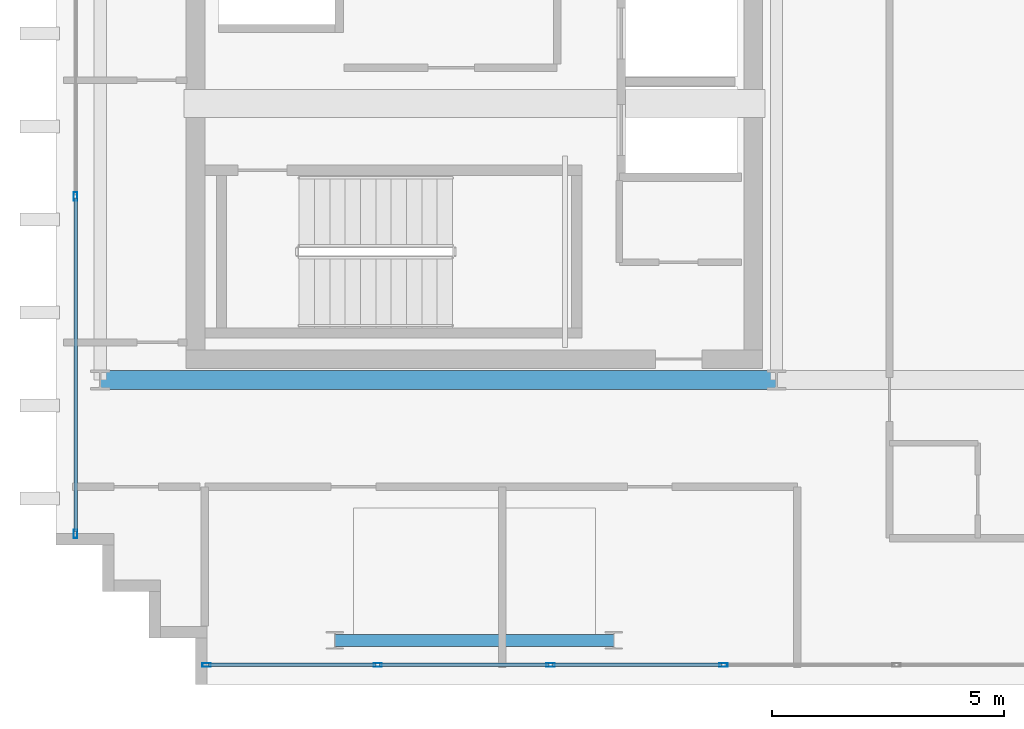
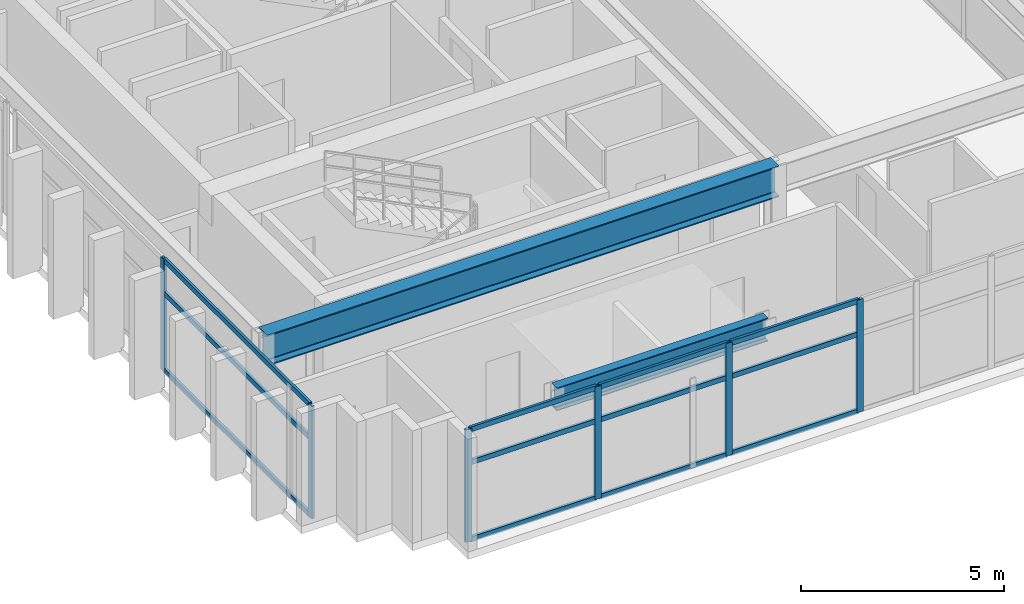
# One storey, part 2 of 15: 18 members, 2 beams, 2 elements without a shape of their own.
"""IFC4 building model written with IfcOpenShell, lengths in metres."""

from ifc_helpers import new_model, si_unit, direction, frame, origin, origin_2d, place, context, subcontext, project, spatial, hollow_rectangle, i_section, extrude, source, transform, mapped, material, layer, layer_set, material_profile, profile_set, type_object, element, aggregate, save


model = new_model("IFC4")

# Units and contexts
model_context = context("Model", 3, precision=1e-05, world=origin(), true_north=direction((0.0, 1.0)))
body_context = subcontext(model_context, "Body", "Model", "MODEL_VIEW")
ifc_project = project(units=[si_unit("LENGTHUNIT", "METRE"), si_unit("AREAUNIT", "SQUARE_METRE"), si_unit("VOLUMEUNIT", "CUBIC_METRE"), si_unit("PLANEANGLEUNIT", "RADIAN"), si_unit("MASSUNIT", "GRAM", prefix="KILO")], contexts=[model_context])

# Site, building, storey
site_placement = place(None, origin())
site = spatial("IfcSite", under=ifc_project, at=site_placement, CompositionType="ELEMENT")
building_placement = place(site_placement, origin())
building = spatial("IfcBuilding", under=site, at=building_placement, Name="Ocotamira Hotel", CompositionType="ELEMENT")
storey_placement = place(building_placement, frame((0.0, 0.0, 294.0)))
storey = spatial("IfcBuildingStorey", under=building, at=storey_placement, Name="L75", CompositionType="ELEMENT", Elevation=294.0)

# Beams
ifc_material_1 = material(Name="Steel ASTM A992 Grade 50", Category="steel")
ifc_material_profile_1 = material_profile(ifc_material_1, i_section(OverallWidth=0.41796875, OverallDepth=0.927001953125, WebThickness=0.019287109375, FlangeThickness=0.031982421875, FilletRadius=0.02392578125, at=origin_2d()), Name="W36X231")
ifc_profile_set_1 = profile_set([ifc_material_profile_1], Name="Steel ASTM A992 Grade 50")
beam_type_1 = type_object("IfcBeamType", Name="BM-GIRD-W36X231", PredefinedType="BEAM", material=ifc_profile_set_1)
shared_shape_1 = source(origin(), body_context, "Body", "SweptSolid", [
    extrude(i_section(OverallWidth=0.41796875, OverallDepth=0.927001953125, WebThickness=0.019287109375, FlangeThickness=0.031982421875, FilletRadius=0.02392578125, at=origin_2d()), origin(), (0.0, 0.0, 1.0), 14.550048828125),
])
beam_1_placement = place(storey_placement, frame((8.949951171875, 14.550048828125, 2.91650390625), z_axis=(1.0, 0.0, 0.0), x_axis=(0.0, 1.0, 0.0)))
element("IfcBeam", 1, at=beam_1_placement, inside=storey, type_object=beam_type_1, Name="L75 Girder Y14.55 X8.95-23.5", PredefinedType="BEAM", context=body_context, shape_type="MappedRepresentation", body=[
    mapped(shared_shape_1, transform((0.0, 0.0, 0.0), scale=1.0)),
])
ifc_material_profile_2 = material_profile(ifc_material_1, i_section(OverallWidth=0.256103515625, OverallDepth=0.693115234375, WebThickness=0.014404296875, FlangeThickness=0.023681640625, FilletRadius=0.01611328125, at=origin_2d()), Name="W27X114")
ifc_profile_set_2 = profile_set([ifc_material_profile_2], Name="Steel ASTM A992 Grade 50")
beam_type_2 = type_object("IfcBeamType", Name="BM-PRIM-W27X114", PredefinedType="BEAM", material=ifc_profile_set_2)
shared_shape_2 = source(origin(), body_context, "Body", "SweptSolid", [
    extrude(i_section(OverallWidth=0.256103515625, OverallDepth=0.693115234375, WebThickness=0.014404296875, FlangeThickness=0.023681640625, FilletRadius=0.01611328125, at=origin_2d()), origin(), (0.0, 0.0, 1.0), 6.0),
])
beam_2_placement = place(storey_placement, frame((14.0, 8.949951171875, 3.033447265625), z_axis=(1.0, 0.0, 0.0), x_axis=(0.0, 1.0, 0.0)))
element("IfcBeam", 2, at=beam_2_placement, inside=storey, type_object=beam_type_2, Name="L75 Girder Y8.95 X14-20", PredefinedType="BEAM", context=body_context, shape_type="MappedRepresentation", body=[
    mapped(shared_shape_2, transform((0.0, 0.0, 0.0), scale=1.0)),
])

# Curtain wall, members
ifc_material_2 = material(Name="Anodised pale-metal aluminium and solar glass", Category="aluminium")
ifc_layer = layer(ifc_material_2, 0.2099609375)
ifc_layer_set = layer_set([ifc_layer], Name="Anodised pale-metal aluminium and solar glass")
curtain_wall_type = type_object("IfcCurtainWallType", Name="CW-SYS7-PEAK", PredefinedType="NOTDEFINED", material=ifc_layer_set)
curtain_wall_1_placement = place(storey_placement, origin())
curtain_wall_1 = element("IfcCurtainWall", 3, at=curtain_wall_1_placement, inside=storey, type_object=curtain_wall_type, Name="L75 Curtain Wall CW-7 CW-L75-S1", PredefinedType="NOTDEFINED")
ifc_material_3 = material(Name="Anodised pale-metal aluminium 6063-T6", Category="aluminium")
ifc_material_profile_3 = material_profile(ifc_material_3, hollow_rectangle(XDim=0.080078125, YDim=0.179931640625, WallThickness=0.006103515625, at=origin_2d()), Name="HSS180X80X6")
ifc_profile_set_3 = profile_set([ifc_material_profile_3], Name="Anodised pale-metal aluminium 6063-T6")
member_type_1 = type_object("IfcMemberType", Name="CWM-180X75", PredefinedType="MULLION", material=ifc_profile_set_3)
shared_shape_3 = source(origin(), body_context, "Body", "SweptSolid", [
    extrude(hollow_rectangle(XDim=0.080078125, YDim=0.179931640625, WallThickness=0.006103515625, at=origin_2d()), origin(), (0.0, 0.0, 1.0), 3.3798828125),
])
member_1_placement = place(storey_placement, frame((11.239990234375, 8.419921875, 0.0), z_axis=(0.0, 0.0, 1.0), x_axis=(0.0, 1.0, 0.0)))
member_1 = element("IfcMember", 4, at=member_1_placement, type_object=member_type_1, Name="CW-7 mullion 1", PredefinedType="MULLION", context=body_context, shape_type="MappedRepresentation", body=[
    mapped(shared_shape_3, transform((0.0, 0.0, 0.0), scale=1.0)),
])
member_2_placement = place(storey_placement, frame((14.919921875, 8.419921875, 0.0), z_axis=(0.0, 0.0, 1.0), x_axis=(0.0, 1.0, 0.0)))
member_2 = element("IfcMember", 5, at=member_2_placement, type_object=member_type_1, Name="CW-7 mullion 2", PredefinedType="MULLION", context=body_context, shape_type="MappedRepresentation", body=[
    mapped(shared_shape_3, transform((0.0, 0.0, 0.0), scale=1.0)),
])
member_3_placement = place(storey_placement, frame((18.639892578125, 8.419921875, 0.0), z_axis=(0.0, 0.0, 1.0), x_axis=(0.0, 1.0, 0.0)))
member_3 = element("IfcMember", 6, at=member_3_placement, type_object=member_type_1, Name="CW-7 mullion 3", PredefinedType="MULLION", context=body_context, shape_type="MappedRepresentation", body=[
    mapped(shared_shape_3, transform((0.0, 0.0, 0.0), scale=1.0)),
])
member_4_placement = place(storey_placement, frame((22.360107421875, 8.419921875, 0.0), z_axis=(0.0, 0.0, 1.0), x_axis=(0.0, 1.0, 0.0)))
member_4 = element("IfcMember", 7, at=member_4_placement, type_object=member_type_1, Name="CW-7 mullion 4", PredefinedType="MULLION", context=body_context, shape_type="MappedRepresentation", body=[
    mapped(shared_shape_3, transform((0.0, 0.0, 0.0), scale=1.0)),
])

curtain_wall_2_placement = place(storey_placement, origin())
curtain_wall_2 = element("IfcCurtainWall", 8, at=curtain_wall_2_placement, inside=storey, type_object=curtain_wall_type, Name="L75 Curtain Wall CW-7 CW-L75-W1", PredefinedType="NOTDEFINED")
member_5_placement = place(storey_placement, frame((8.419921875, 11.239990234375, 0.0), z_axis=(0.0, 0.0, 1.0), x_axis=(-1.0, 0.0, 0.0)))
member_5 = element("IfcMember", 9, at=member_5_placement, type_object=member_type_1, Name="CW-7 mullion 1", PredefinedType="MULLION", context=body_context, shape_type="MappedRepresentation", body=[
    mapped(shared_shape_3, transform((0.0, 0.0, 0.0), scale=1.0)),
])
member_6_placement = place(storey_placement, frame((8.419921875, 18.5, 0.0), z_axis=(0.0, 0.0, 1.0), x_axis=(-1.0, 0.0, 0.0)))
member_6 = element("IfcMember", 10, at=member_6_placement, type_object=member_type_1, Name="CW-7 mullion 2", PredefinedType="MULLION", context=body_context, shape_type="MappedRepresentation", body=[
    mapped(shared_shape_3, transform((0.0, 0.0, 0.0), scale=1.0)),
])
ifc_material_profile_4 = material_profile(ifc_material_3, hollow_rectangle(XDim=0.074951171875, YDim=0.14990234375, WallThickness=0.006103515625, at=origin_2d()), Name="HSS150X75X6")
ifc_profile_set_4 = profile_set([ifc_material_profile_4], Name="Anodised pale-metal aluminium 6063-T6")
member_type_2 = type_object("IfcMemberType", Name="CWT-150X75", PredefinedType="USERDEFINED", material=ifc_profile_set_4)
shared_shape_4 = source(origin(), body_context, "Body", "SweptSolid", [
    extrude(hollow_rectangle(XDim=0.074951171875, YDim=0.14990234375, WallThickness=0.006103515625, at=origin_2d()), origin(), (0.0, 0.0, 1.0), 7.179931640625),
])
member_7_placement = place(storey_placement, frame((8.419921875, 11.280029296875, 0.03759765625), z_axis=(0.0, 1.0, 0.0), x_axis=(-1.0, 0.0, 0.0)))
member_7 = element("IfcMember", 11, at=member_7_placement, type_object=member_type_2, Name="CW-7 transom 1.1", ObjectType="TRANSOM", PredefinedType="USERDEFINED", context=body_context, shape_type="MappedRepresentation", body=[
    mapped(shared_shape_4, transform((0.0, 0.0, 0.0), scale=1.0)),
])
member_8_placement = place(storey_placement, frame((8.419921875, 11.280029296875, 2.35009765625), z_axis=(0.0, 1.0, 0.0), x_axis=(-1.0, 0.0, 0.0)))
member_8 = element("IfcMember", 12, at=member_8_placement, type_object=member_type_2, Name="CW-7 transom 1.2", ObjectType="TRANSOM", PredefinedType="USERDEFINED", context=body_context, shape_type="MappedRepresentation", body=[
    mapped(shared_shape_4, transform((0.0, 0.0, 0.0), scale=1.0)),
])
member_9_placement = place(storey_placement, frame((8.419921875, 11.280029296875, 3.342529296875), z_axis=(0.0, 1.0, 0.0), x_axis=(-1.0, 0.0, 0.0)))
member_9 = element("IfcMember", 13, at=member_9_placement, type_object=member_type_2, Name="CW-7 transom 1.3", ObjectType="TRANSOM", PredefinedType="USERDEFINED", context=body_context, shape_type="MappedRepresentation", body=[
    mapped(shared_shape_4, transform((0.0, 0.0, 0.0), scale=1.0)),
])
aggregate(curtain_wall_2, [member_5, member_6, member_7, member_8, member_9])

# Member
shared_shape_5 = source(origin(), body_context, "Body", "SweptSolid", [
    extrude(hollow_rectangle(XDim=0.074951171875, YDim=0.14990234375, WallThickness=0.006103515625, at=origin_2d()), origin(), (0.0, 0.0, 1.0), 3.599853515625),
])
member_10_placement = place(storey_placement, frame((11.280029296875, 8.419921875, 0.03759765625), z_axis=(1.0, 0.0, 0.0), x_axis=(0.0, 1.0, 0.0)))
member_10 = element("IfcMember", 14, at=member_10_placement, type_object=member_type_2, Name="CW-7 transom 1.1", ObjectType="TRANSOM", PredefinedType="USERDEFINED", context=body_context, shape_type="MappedRepresentation", body=[
    mapped(shared_shape_5, transform((0.0, 0.0, 0.0), scale=1.0)),
])

member_11_placement = place(storey_placement, frame((11.280029296875, 8.419921875, 2.35009765625), z_axis=(1.0, 0.0, 0.0), x_axis=(0.0, 1.0, 0.0)))
member_11 = element("IfcMember", 15, at=member_11_placement, type_object=member_type_2, Name="CW-7 transom 1.2", ObjectType="TRANSOM", PredefinedType="USERDEFINED", context=body_context, shape_type="MappedRepresentation", body=[
    mapped(shared_shape_5, transform((0.0, 0.0, 0.0), scale=1.0)),
])

member_12_placement = place(storey_placement, frame((11.280029296875, 8.419921875, 3.342529296875), z_axis=(1.0, 0.0, 0.0), x_axis=(0.0, 1.0, 0.0)))
member_12 = element("IfcMember", 16, at=member_12_placement, type_object=member_type_2, Name="CW-7 transom 1.3", ObjectType="TRANSOM", PredefinedType="USERDEFINED", context=body_context, shape_type="MappedRepresentation", body=[
    mapped(shared_shape_5, transform((0.0, 0.0, 0.0), scale=1.0)),
])

shared_shape_6 = source(origin(), body_context, "Body", "SweptSolid", [
    extrude(hollow_rectangle(XDim=0.074951171875, YDim=0.14990234375, WallThickness=0.006103515625, at=origin_2d()), origin(), (0.0, 0.0, 1.0), 3.64013671875),
])
member_13_placement = place(storey_placement, frame((14.9599609375, 8.419921875, 0.03759765625), z_axis=(1.0, 0.0, 0.0), x_axis=(0.0, 1.0, 0.0)))
member_13 = element("IfcMember", 17, at=member_13_placement, type_object=member_type_2, Name="CW-7 transom 2.1", ObjectType="TRANSOM", PredefinedType="USERDEFINED", context=body_context, shape_type="MappedRepresentation", body=[
    mapped(shared_shape_6, transform((0.0, 0.0, 0.0), scale=1.0)),
])

member_14_placement = place(storey_placement, frame((14.9599609375, 8.419921875, 2.35009765625), z_axis=(1.0, 0.0, 0.0), x_axis=(0.0, 1.0, 0.0)))
member_14 = element("IfcMember", 18, at=member_14_placement, type_object=member_type_2, Name="CW-7 transom 2.2", ObjectType="TRANSOM", PredefinedType="USERDEFINED", context=body_context, shape_type="MappedRepresentation", body=[
    mapped(shared_shape_6, transform((0.0, 0.0, 0.0), scale=1.0)),
])

member_15_placement = place(storey_placement, frame((14.9599609375, 8.419921875, 3.342529296875), z_axis=(1.0, 0.0, 0.0), x_axis=(0.0, 1.0, 0.0)))
member_15 = element("IfcMember", 19, at=member_15_placement, type_object=member_type_2, Name="CW-7 transom 2.3", ObjectType="TRANSOM", PredefinedType="USERDEFINED", context=body_context, shape_type="MappedRepresentation", body=[
    mapped(shared_shape_6, transform((0.0, 0.0, 0.0), scale=1.0)),
])

member_16_placement = place(storey_placement, frame((18.679931640625, 8.419921875, 0.03759765625), z_axis=(1.0, 0.0, 0.0), x_axis=(0.0, 1.0, 0.0)))
member_16 = element("IfcMember", 20, at=member_16_placement, type_object=member_type_2, Name="CW-7 transom 3.1", ObjectType="TRANSOM", PredefinedType="USERDEFINED", context=body_context, shape_type="MappedRepresentation", body=[
    mapped(shared_shape_6, transform((0.0, 0.0, 0.0), scale=1.0)),
])

member_17_placement = place(storey_placement, frame((18.679931640625, 8.419921875, 2.35009765625), z_axis=(1.0, 0.0, 0.0), x_axis=(0.0, 1.0, 0.0)))
member_17 = element("IfcMember", 21, at=member_17_placement, type_object=member_type_2, Name="CW-7 transom 3.2", ObjectType="TRANSOM", PredefinedType="USERDEFINED", context=body_context, shape_type="MappedRepresentation", body=[
    mapped(shared_shape_6, transform((0.0, 0.0, 0.0), scale=1.0)),
])

member_18_placement = place(storey_placement, frame((18.679931640625, 8.419921875, 3.342529296875), z_axis=(1.0, 0.0, 0.0), x_axis=(0.0, 1.0, 0.0)))
member_18 = element("IfcMember", 22, at=member_18_placement, type_object=member_type_2, Name="CW-7 transom 3.3", ObjectType="TRANSOM", PredefinedType="USERDEFINED", context=body_context, shape_type="MappedRepresentation", body=[
    mapped(shared_shape_6, transform((0.0, 0.0, 0.0), scale=1.0)),
])

aggregate(curtain_wall_1, [member_1, member_2, member_3, member_4, member_10, member_11, member_12, member_13, member_14, member_15, member_16, member_17, member_18])

save(model, "model.ifc")
